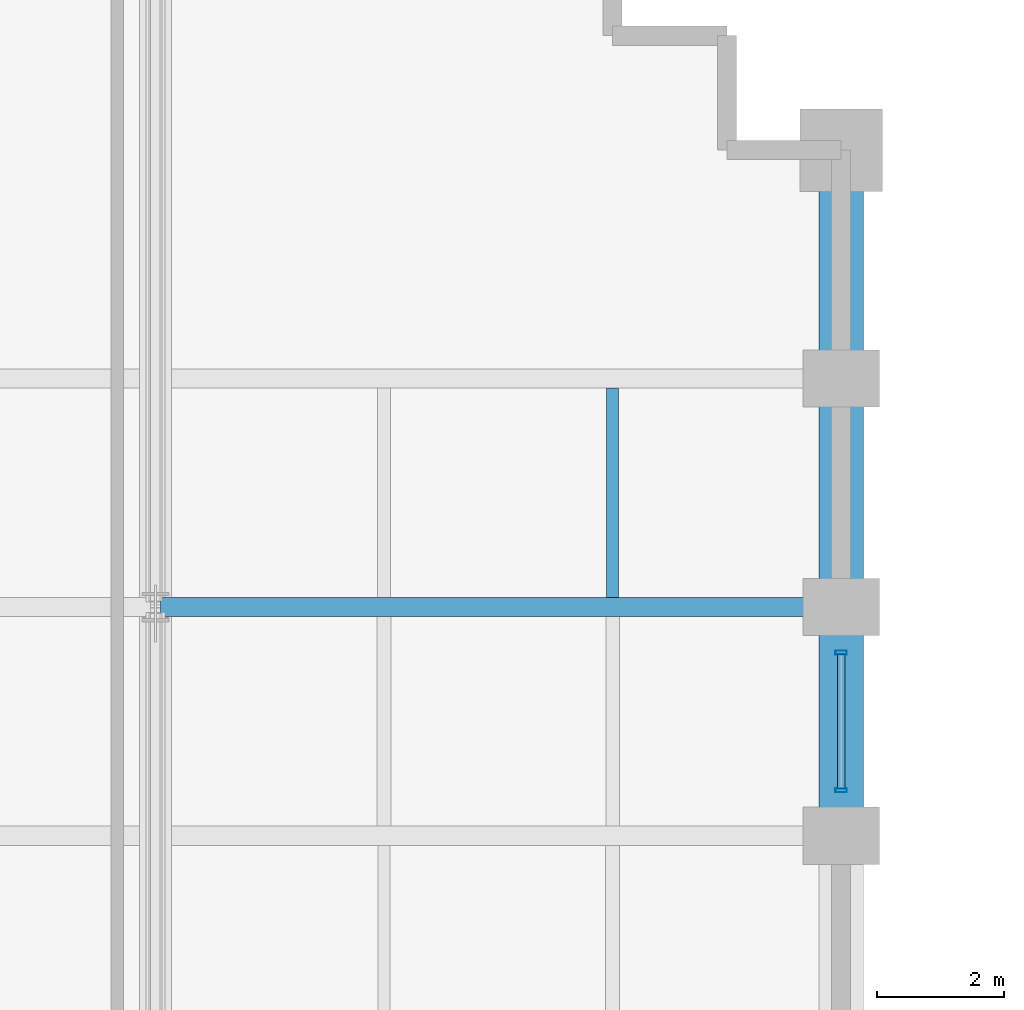
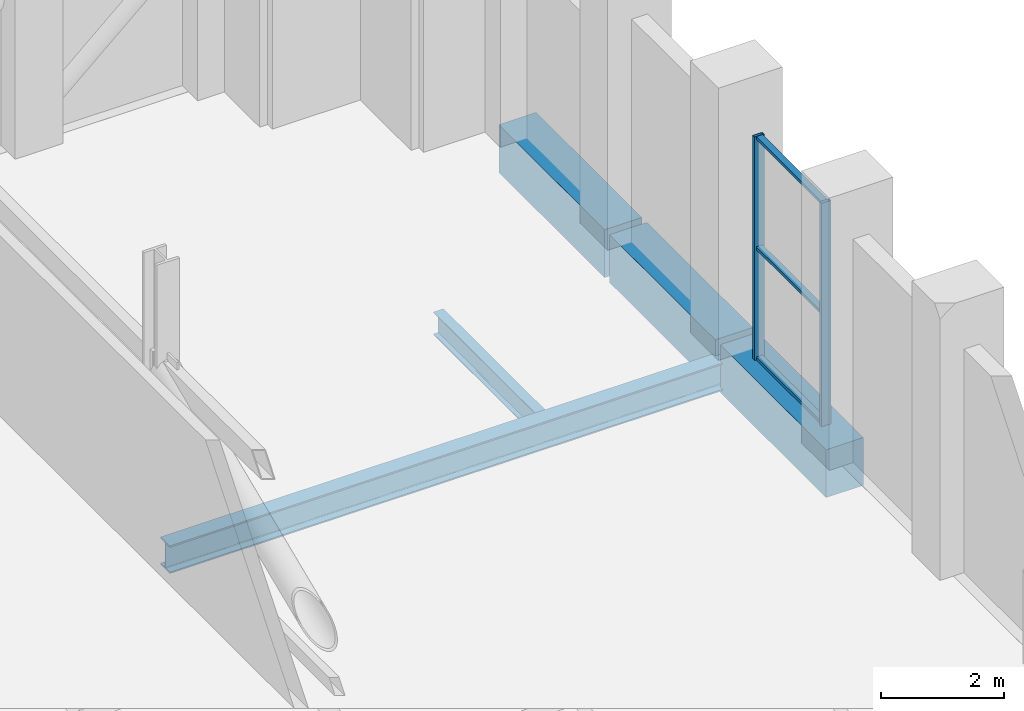
# One storey, part 19 of 27: 5 beams, 5 members, 1 element without a shape of its own.
"""IFC4 building model written with IfcOpenShell, lengths in metres."""

from ifc_helpers import new_model, si_unit, direction, frame, origin, origin_2d, place, context, subcontext, project, spatial, rectangle, hollow_rectangle, i_section, extrude, material, layer, layer_set, material_profile, profile_set, type_object, element, aggregate, save


model = new_model("IFC4")

# Units and contexts
model_context = context("Model", 3, precision=1e-05, world=origin(), true_north=direction((0.0, 1.0)))
body_context = subcontext(model_context, "Body", "Model", "MODEL_VIEW")
ifc_project = project(units=[si_unit("LENGTHUNIT", "METRE"), si_unit("AREAUNIT", "SQUARE_METRE"), si_unit("VOLUMEUNIT", "CUBIC_METRE"), si_unit("PLANEANGLEUNIT", "RADIAN"), si_unit("MASSUNIT", "GRAM", prefix="KILO")], contexts=[model_context])

# Site, building, storey
site_placement = place(None, origin())
site = spatial("IfcSite", under=ifc_project, at=site_placement, CompositionType="ELEMENT")
building_placement = place(site_placement, origin())
building = spatial("IfcBuilding", under=site, at=building_placement, Name="Solnavia Interchange Tower", CompositionType="ELEMENT")
storey_placement = place(building_placement, frame((0.0, 0.0, 74.699951171875)))
storey = spatial("IfcBuildingStorey", under=building, at=storey_placement, Name="L18", CompositionType="ELEMENT", Elevation=74.699951171875)

# Beams
ifc_material_1 = material(Name="Steel S460", Category="steel")
ifc_material_profile_1 = material_profile(ifc_material_1, i_section(OverallWidth=0.300048828125, OverallDepth=0.550048828125, WebThickness=0.014892578125, FlangeThickness=0.029052734375, FilletRadius=0.027099609375, at=origin_2d()), Name="HEB 550")
ifc_profile_set_1 = profile_set([ifc_material_profile_1], Name="Steel S460")
beam_type_1 = type_object("IfcBeamType", Name="Beam-Girder-HEB550", PredefinedType="BEAM", material=ifc_profile_set_1)
beam_1_placement = place(storey_placement, frame((18.080078125, 39.60009765625, -0.594970703125), z_axis=(1.0, 0.0, 0.0), x_axis=(0.0, 1.0, 0.0)))
element("IfcBeam", 1, at=beam_1_placement, inside=storey, type_object=beam_type_1, Name="GRD-L18-NW20 North wing primary floor girder", PredefinedType="BEAM", context=body_context, shape_type="SweptSolid", body=[
    extrude(i_section(OverallWidth=0.300048828125, OverallDepth=0.550048828125, WebThickness=0.014892578125, FlangeThickness=0.029052734375, FilletRadius=0.027099609375, at=origin_2d()), origin(), (0.0, 0.0, 1.0), 10.639892578125),
])
ifc_material_2 = material(Name="Steel S355", Category="steel")
ifc_material_profile_2 = material_profile(ifc_material_2, i_section(OverallWidth=0.18994140625, OverallDepth=0.449951171875, WebThickness=0.009521484375, FlangeThickness=0.0146484375, FilletRadius=0.02099609375, at=origin_2d()), Name="IPE 450")
ifc_profile_set_2 = profile_set([ifc_material_profile_2], Name="Steel S355")
beam_type_2 = type_object("IfcBeamType", Name="Beam-Joist-IPE450", PredefinedType="JOIST", material=ifc_profile_set_2)
beam_2_placement = place(storey_placement, frame((25.199951171875, 39.75, -0.544921875), z_axis=(0.0, 1.0, 0.0), x_axis=(-1.0, 0.0, 0.0)))
element("IfcBeam", 2, at=beam_2_placement, inside=storey, type_object=beam_type_2, Name="JST-L18-N36 North wing secondary joist", PredefinedType="JOIST", context=body_context, shape_type="SweptSolid", body=[
    extrude(i_section(OverallWidth=0.18994140625, OverallDepth=0.449951171875, WebThickness=0.009521484375, FlangeThickness=0.0146484375, FilletRadius=0.02099609375, at=origin_2d()), origin(), (0.0, 0.0, 1.0), 3.300048828125),
])
ifc_material_3 = material(Name="Concrete C50/60", Category="concrete")
ifc_material_profile_3 = material_profile(ifc_material_3, rectangle(XDim=0.699951171875, YDim=0.949951171875, at=origin_2d()), Name="RC 700x950")
ifc_profile_set_3 = profile_set([ifc_material_profile_3], Name="Concrete C50/60")
beam_type_3 = type_object("IfcBeamType", Name="Beam-Spandrel-RC700x950", PredefinedType="SPANDREL", material=ifc_profile_set_3)
beam_3_placement = place(storey_placement, frame((28.800048828125, 36.080078125, -0.474853515625), z_axis=(0.0, 1.0, 0.0), x_axis=(-1.0, 0.0, 0.0)))
element("IfcBeam", 3, at=beam_3_placement, inside=storey, type_object=beam_type_3, Name="SPB-L18-31 Framed-tube perimeter spandrel beam", PredefinedType="SPANDREL", context=body_context, shape_type="SweptSolid", body=[
    extrude(rectangle(XDim=0.699951171875, YDim=0.949951171875, at=origin_2d()), origin(), (0.0, 0.0, 1.0), 3.43994140625),
])
beam_4_placement = place(storey_placement, frame((28.800048828125, 39.679931640625, -0.474853515625), z_axis=(0.0, 1.0, 0.0), x_axis=(-1.0, 0.0, 0.0)))
element("IfcBeam", 4, at=beam_4_placement, inside=storey, type_object=beam_type_3, Name="SPB-L18-32 Framed-tube perimeter spandrel beam", PredefinedType="SPANDREL", context=body_context, shape_type="SweptSolid", body=[
    extrude(rectangle(XDim=0.699951171875, YDim=0.949951171875, at=origin_2d()), origin(), (0.0, 0.0, 1.0), 3.440185546875),
])
beam_5_placement = place(storey_placement, frame((28.800048828125, 43.280029296875, -0.474853515625), z_axis=(0.0, 1.0, 0.0), x_axis=(-1.0, 0.0, 0.0)))
element("IfcBeam", 5, at=beam_5_placement, inside=storey, type_object=beam_type_3, Name="SPB-L18-33 Framed-tube perimeter spandrel beam", PredefinedType="SPANDREL", context=body_context, shape_type="SweptSolid", body=[
    extrude(rectangle(XDim=0.699951171875, YDim=0.949951171875, at=origin_2d()), origin(), (0.0, 0.0, 1.0), 3.43994140625),
])

# Curtain wall, members
ifc_material_4 = material(Name="Aluminium Alloy 6063-T6", Category="aluminium")
ifc_layer = layer(ifc_material_4, 0.199951171875)
ifc_layer_set = layer_set([ifc_layer], Name="Aluminium Alloy 6063-T6")
curtain_wall_type = type_object("IfcCurtainWallType", Name="CurtainWall-Louvre-CTW5", PredefinedType="NOTDEFINED", material=ifc_layer_set)
curtain_wall_placement = place(storey_placement, origin())
curtain_wall = element("IfcCurtainWall", 6, at=curtain_wall_placement, inside=storey, type_object=curtain_wall_type, Name="CTW-L18-L33 CTW-5 curtain wall", PredefinedType="NOTDEFINED")
ifc_material_profile_4 = material_profile(ifc_material_4, hollow_rectangle(XDim=0.06494140625, YDim=0.179931640625, WallThickness=0.00439453125, at=origin_2d()), Name="ALU 180x65x4.5")
ifc_profile_set_4 = profile_set([ifc_material_profile_4], Name="Aluminium Alloy 6063-T6")
member_type_1 = type_object("IfcMemberType", Name="CW-Mullion-CWM-5", PredefinedType="MULLION", material=ifc_profile_set_4)
member_1_placement = place(storey_placement, frame((28.800048828125, 36.715087890625, 0.0), z_axis=(0.0, 0.0, 1.0), x_axis=(0.0, 1.0, 0.0)))
member_1 = element("IfcMember", 7, at=member_1_placement, type_object=member_type_1, Name="CTW-5 mullion 1", PredefinedType="MULLION", context=body_context, shape_type="SweptSolid", body=[
    extrude(hollow_rectangle(XDim=0.06494140625, YDim=0.179931640625, WallThickness=0.00439453125, at=origin_2d()), origin(), (0.0, 0.0, 1.0), 4.429931640625),
])
member_2_placement = place(storey_placement, frame((28.800048828125, 38.885009765625, 0.0), z_axis=(0.0, 0.0, 1.0), x_axis=(0.0, 1.0, 0.0)))
member_2 = element("IfcMember", 8, at=member_2_placement, type_object=member_type_1, Name="CTW-5 mullion 2", PredefinedType="MULLION", context=body_context, shape_type="SweptSolid", body=[
    extrude(hollow_rectangle(XDim=0.06494140625, YDim=0.179931640625, WallThickness=0.00439453125, at=origin_2d()), origin(), (0.0, 0.0, 1.0), 4.429931640625),
])
ifc_material_profile_5 = material_profile(ifc_material_4, hollow_rectangle(XDim=0.06005859375, YDim=0.1201171875, WallThickness=0.00390625, at=origin_2d()), Name="ALU 120x60x4")
ifc_profile_set_5 = profile_set([ifc_material_profile_5], Name="Aluminium Alloy 6063-T6")
member_type_2 = type_object("IfcMemberType", Name="CW-Transom-CWT-5", PredefinedType="USERDEFINED", material=ifc_profile_set_5)
member_3_placement = place(storey_placement, frame((28.800048828125, 36.74755859375, 0.030029296875), z_axis=(0.0, 1.0, 0.0), x_axis=(0.0, 0.0, 1.0)))
member_3 = element("IfcMember", 9, at=member_3_placement, type_object=member_type_2, Name="CTW-5 transom 1.1", ObjectType="TRANSOM", PredefinedType="USERDEFINED", context=body_context, shape_type="SweptSolid", body=[
    extrude(hollow_rectangle(XDim=0.06005859375, YDim=0.1201171875, WallThickness=0.00390625, at=origin_2d()), origin(), (0.0, 0.0, 1.0), 2.10498046875),
])
member_4_placement = place(storey_placement, frame((28.800048828125, 36.74755859375, 2.215087890625), z_axis=(0.0, 1.0, 0.0), x_axis=(0.0, 0.0, 1.0)))
member_4 = element("IfcMember", 10, at=member_4_placement, type_object=member_type_2, Name="CTW-5 transom 1.2", ObjectType="TRANSOM", PredefinedType="USERDEFINED", context=body_context, shape_type="SweptSolid", body=[
    extrude(hollow_rectangle(XDim=0.06005859375, YDim=0.1201171875, WallThickness=0.00390625, at=origin_2d()), origin(), (0.0, 0.0, 1.0), 2.10498046875),
])
member_5_placement = place(storey_placement, frame((28.800048828125, 36.74755859375, 4.400146484375), z_axis=(0.0, 1.0, 0.0), x_axis=(0.0, 0.0, 1.0)))
member_5 = element("IfcMember", 11, at=member_5_placement, type_object=member_type_2, Name="CTW-5 transom 1.3", ObjectType="TRANSOM", PredefinedType="USERDEFINED", context=body_context, shape_type="SweptSolid", body=[
    extrude(hollow_rectangle(XDim=0.06005859375, YDim=0.1201171875, WallThickness=0.00390625, at=origin_2d()), origin(), (0.0, 0.0, 1.0), 2.10498046875),
])
aggregate(curtain_wall, [member_1, member_2, member_3, member_4, member_5])

save(model, "model.ifc")
